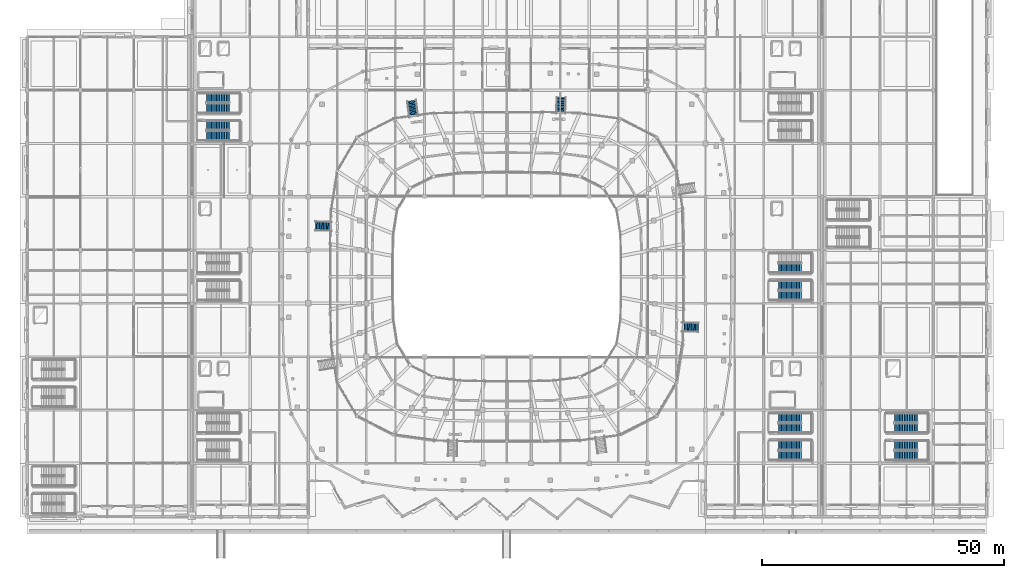
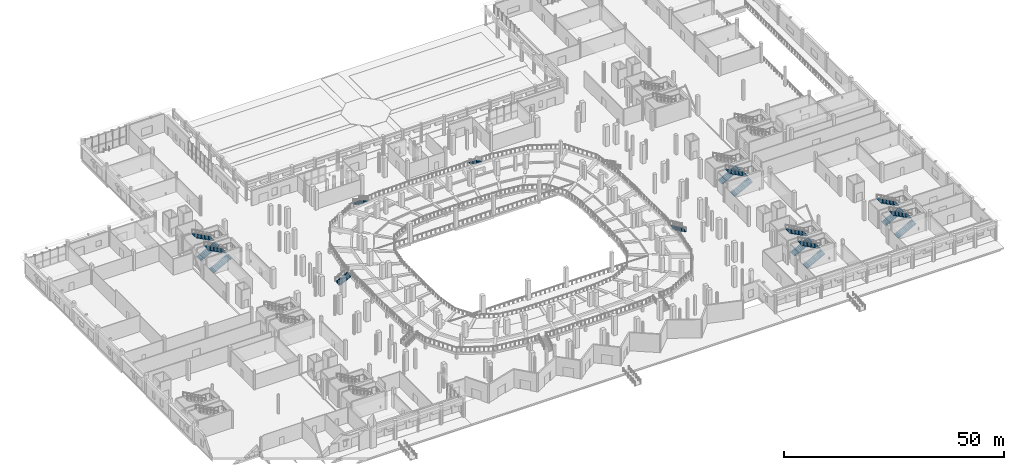
# One storey, part 72 of 120: 19 stair flights, 12 elements without a shape of their own.
"""IFC4 building model written with IfcOpenShell, lengths in metres."""

from ifc_helpers import new_model, si_unit, direction, frame, origin, place, context, subcontext, project, spatial, polyline, outline, extrude, material, layer, layer_set, type_object, element, aggregate, save


model = new_model("IFC4")

# Units and contexts
model_context = context("Model", 3, precision=1e-05, world=origin(), true_north=direction((0.0, 1.0)))
body_context = subcontext(model_context, "Body", "Model", "MODEL_VIEW")
ifc_project = project(units=[si_unit("LENGTHUNIT", "METRE"), si_unit("AREAUNIT", "SQUARE_METRE"), si_unit("VOLUMEUNIT", "CUBIC_METRE"), si_unit("PLANEANGLEUNIT", "RADIAN"), si_unit("MASSUNIT", "GRAM", prefix="KILO")], contexts=[model_context])

# Site, building, storey
site_placement = place(None, origin())
site = spatial("IfcSite", under=ifc_project, at=site_placement, CompositionType="ELEMENT")
building_placement = place(site_placement, origin())
building = spatial("IfcBuilding", under=site, at=building_placement, Name="Luwafu Chhajja Arena", CompositionType="ELEMENT")
storey_placement = place(building_placement, origin())
storey = spatial("IfcBuildingStorey", under=building, at=storey_placement, Name="L00", CompositionType="ELEMENT", Elevation=0.0)

# Stair, stair flight
ifc_material_1 = material(Name="Precast concrete C40/50", Category="concrete")
stair_type_1 = type_object("IfcStairType", Name="Bowl Lower Vomitory Straight Stair 1820", PredefinedType="STRAIGHT_RUN_STAIR", material=ifc_material_1)
stair_1_placement = place(storey_placement, origin())
stair_1 = element("IfcStair", 1, at=stair_1_placement, inside=storey, type_object=stair_type_1, Name="L00 Bowl Vomitory Stair VM-02", PredefinedType="STRAIGHT_RUN_STAIR")
ifc_layer_1 = layer(ifc_material_1, 0.179931640625, Name="Precast concrete C40/50")
ifc_layer_set_1 = layer_set([ifc_layer_1], Name="Precast concrete C40/50")
stair_flight_type_1 = type_object("IfcStairFlightType", Name="Precast Vomitory Stair Flight 1820", PredefinedType="STRAIGHT", material=ifc_layer_set_1)
stair_flight_1_placement = place(storey_placement, frame((110.220703125, 86.541015625, 0.0), z_axis=(0.0, 0.0, 1.0), x_axis=(-0.024128580395, -0.999708863424, 0.0)))
stair_flight_1 = element("IfcStairFlight", 2, at=stair_flight_1_placement, type_object=stair_flight_type_1, Name="L00 Vomitory VM-02 StairFlight", NumberOfRisers=12, NumberOfTreads=11, PredefinedType="STRAIGHT", RiserHeight=0.154166667, TreadLength=0.285, context=body_context, shape_type="SweptSolid", body=[
    extrude(outline(polyline([(0.0, 0.0), (0.0, 0.154052734375), (0.284912109375, 0.154052734375), (0.284912109375, 0.308349609375), (0.570068359375, 0.308349609375), (0.570068359375, 0.46240234375), (0.85498046875, 0.46240234375), (0.85498046875, 0.61669921875), (1.139892578125, 0.61669921875), (1.139892578125, 0.770751953125), (1.425048828125, 0.770751953125), (1.425048828125, 0.925048828125), (1.7099609375, 0.925048828125), (1.7099609375, 1.0791015625), (1.9951171875, 1.0791015625), (1.9951171875, 1.2333984375), (2.280029296875, 1.2333984375), (2.280029296875, 1.387451171875), (2.56494140625, 1.387451171875), (2.56494140625, 1.541748046875), (2.85009765625, 1.541748046875), (2.85009765625, 1.69580078125), (3.135009765625, 1.69580078125), (3.135009765625, 1.85009765625), (3.135009765625, 1.4912109375), (0.378173828125, 0.0), (0.0, 0.0)])), frame((0.0, 0.91015625, 0.0), z_axis=(0.0, -1.0, 0.0), x_axis=(1.0, 0.0, 0.0)), (0.0, 0.0, 1.0), 1.820068359375),
])
aggregate(stair_1, [stair_flight_1])

stair_2_placement = place(storey_placement, origin())
stair_2 = element("IfcStair", 3, at=stair_2_placement, inside=storey, type_object=stair_type_1, Name="L00 Bowl Vomitory Stair VM-03", PredefinedType="STRAIGHT_RUN_STAIR")
stair_flight_2_placement = place(storey_placement, frame((79.346435546875, 85.84814453125, 0.0), z_axis=(0.0, 0.0, 1.0), x_axis=(0.134837095163, -0.990867780164, 0.0)))
stair_flight_2 = element("IfcStairFlight", 4, at=stair_flight_2_placement, type_object=stair_flight_type_1, Name="L00 Vomitory VM-03 StairFlight", NumberOfRisers=12, NumberOfTreads=11, PredefinedType="STRAIGHT", RiserHeight=0.154166667, TreadLength=0.285, context=body_context, shape_type="SweptSolid", body=[
    extrude(outline(polyline([(0.0, 0.0), (0.0, 0.154052734375), (0.284912109375, 0.154052734375), (0.284912109375, 0.308349609375), (0.570068359375, 0.308349609375), (0.570068359375, 0.46240234375), (0.85498046875, 0.46240234375), (0.85498046875, 0.61669921875), (1.139892578125, 0.61669921875), (1.139892578125, 0.770751953125), (1.425048828125, 0.770751953125), (1.425048828125, 0.925048828125), (1.7099609375, 0.925048828125), (1.7099609375, 1.0791015625), (1.9951171875, 1.0791015625), (1.9951171875, 1.2333984375), (2.280029296875, 1.2333984375), (2.280029296875, 1.387451171875), (2.56494140625, 1.387451171875), (2.56494140625, 1.541748046875), (2.85009765625, 1.541748046875), (2.85009765625, 1.69580078125), (3.135009765625, 1.69580078125), (3.135009765625, 1.85009765625), (3.135009765625, 1.4912109375), (0.378173828125, 0.0), (0.0, 0.0)])), frame((0.0, 0.91015625, 0.0), z_axis=(0.0, -1.0, 0.0), x_axis=(1.0, 0.0, 0.0)), (0.0, 0.0, 1.0), 1.820068359375),
])
aggregate(stair_2, [stair_flight_2])

stair_3_placement = place(storey_placement, origin())
stair_3 = element("IfcStair", 5, at=stair_3_placement, inside=storey, type_object=stair_type_1, Name="L00 Bowl Vomitory Stair VM-04", PredefinedType="STRAIGHT_RUN_STAIR")
stair_flight_3_placement = place(storey_placement, frame((59.466796875, 59.968994140625, 0.0), z_axis=(0.0, 0.0, 1.0), x_axis=(0.999612984955, -0.027818704298, 0.0)))
stair_flight_3 = element("IfcStairFlight", 6, at=stair_flight_3_placement, type_object=stair_flight_type_1, Name="L00 Vomitory VM-04 StairFlight", NumberOfRisers=12, NumberOfTreads=11, PredefinedType="STRAIGHT", RiserHeight=0.154166667, TreadLength=0.285, context=body_context, shape_type="SweptSolid", body=[
    extrude(outline(polyline([(0.0, 0.0), (0.0, 0.154052734375), (0.284912109375, 0.154052734375), (0.284912109375, 0.308349609375), (0.570068359375, 0.308349609375), (0.570068359375, 0.46240234375), (0.85498046875, 0.46240234375), (0.85498046875, 0.61669921875), (1.139892578125, 0.61669921875), (1.139892578125, 0.770751953125), (1.425048828125, 0.770751953125), (1.425048828125, 0.925048828125), (1.7099609375, 0.925048828125), (1.7099609375, 1.0791015625), (1.9951171875, 1.0791015625), (1.9951171875, 1.2333984375), (2.280029296875, 1.2333984375), (2.280029296875, 1.387451171875), (2.56494140625, 1.387451171875), (2.56494140625, 1.541748046875), (2.85009765625, 1.541748046875), (2.85009765625, 1.69580078125), (3.135009765625, 1.69580078125), (3.135009765625, 1.85009765625), (3.135009765625, 1.4912109375), (0.378173828125, 0.0), (0.0, 0.0)])), frame((0.0, 0.91015625, 0.0), z_axis=(0.0, -1.0, 0.0), x_axis=(1.0, 0.0, 0.0)), (0.0, 0.0, 1.0), 1.820068359375),
])
aggregate(stair_3, [stair_flight_3])

stair_4_placement = place(storey_placement, origin())
stair_4 = element("IfcStair", 7, at=stair_4_placement, inside=storey, type_object=stair_type_1, Name="L00 Bowl Vomitory Stair VM-08", PredefinedType="STRAIGHT_RUN_STAIR")
stair_flight_4_placement = place(storey_placement, frame((138.533203125, 39.031005859375, 0.0), z_axis=(0.0, 0.0, 1.0), x_axis=(-0.999612984955, 0.027818704298, 0.0)))
stair_flight_4 = element("IfcStairFlight", 8, at=stair_flight_4_placement, type_object=stair_flight_type_1, Name="L00 Vomitory VM-08 StairFlight", NumberOfRisers=12, NumberOfTreads=11, PredefinedType="STRAIGHT", RiserHeight=0.154166667, TreadLength=0.285, context=body_context, shape_type="SweptSolid", body=[
    extrude(outline(polyline([(0.0, 0.0), (0.0, 0.154052734375), (0.284912109375, 0.154052734375), (0.284912109375, 0.308349609375), (0.570068359375, 0.308349609375), (0.570068359375, 0.46240234375), (0.85498046875, 0.46240234375), (0.85498046875, 0.61669921875), (1.139892578125, 0.61669921875), (1.139892578125, 0.770751953125), (1.425048828125, 0.770751953125), (1.425048828125, 0.925048828125), (1.7099609375, 0.925048828125), (1.7099609375, 1.0791015625), (1.9951171875, 1.0791015625), (1.9951171875, 1.2333984375), (2.280029296875, 1.2333984375), (2.280029296875, 1.387451171875), (2.56494140625, 1.387451171875), (2.56494140625, 1.541748046875), (2.85009765625, 1.541748046875), (2.85009765625, 1.69580078125), (3.135009765625, 1.69580078125), (3.135009765625, 1.85009765625), (3.135009765625, 1.4912109375), (0.378173828125, 0.0), (0.0, 0.0)])), frame((0.0, 0.91015625, 0.0), z_axis=(0.0, -1.0, 0.0), x_axis=(1.0, 0.0, 0.0)), (0.0, 0.0, 1.0), 1.820068359375),
])
aggregate(stair_4, [stair_flight_4])

# Stair, stair flights
ifc_material_2 = material(Name="Concrete C35/45", Category="concrete")
stair_type_2 = type_object("IfcStairType", Name="Wing Protected Dog-Leg Stair 1900", PredefinedType="HALF_TURN_STAIR", material=ifc_material_2)
stair_5_placement = place(storey_placement, origin())
stair_5 = element("IfcStair", 9, at=stair_5_placement, inside=storey, type_object=stair_type_2, Name="L00 Protected Escape Stair ST-15", PredefinedType="HALF_TURN_STAIR")
ifc_layer_2 = layer(ifc_material_2, 0.1650390625, Name="Concrete C35/45")
ifc_layer_set_2 = layer_set([ifc_layer_2], Name="Concrete C35/45")
stair_flight_type_2 = type_object("IfcStairFlightType", Name="RC Escape Stair Flight 1900", PredefinedType="STRAIGHT", material=ifc_layer_set_2)
stair_flight_5_placement = place(storey_placement, frame((179.0, 12.60009765625, 0.0), z_axis=(0.0, 0.0, 1.0), x_axis=(1.0, 0.0, 0.0)))
stair_flight_5 = element("IfcStairFlight", 10, at=stair_flight_5_placement, type_object=stair_flight_type_2, Name="ST-15 flight 1", NumberOfRisers=15, NumberOfTreads=14, PredefinedType="STRAIGHT", RiserHeight=0.18, TreadLength=0.34, context=body_context, shape_type="SweptSolid", body=[
    extrude(outline(polyline([(0.0, 0.0), (0.0, 0.179931640625), (0.340087890625, 0.179931640625), (0.340087890625, 0.360107421875), (0.679931640625, 0.360107421875), (0.679931640625, 0.5400390625), (1.02001953125, 0.5400390625), (1.02001953125, 0.719970703125), (1.360107421875, 0.719970703125), (1.360107421875, 0.89990234375), (1.699951171875, 0.89990234375), (1.699951171875, 1.080078125), (2.0400390625, 1.080078125), (2.0400390625, 1.260009765625), (2.3798828125, 1.260009765625), (2.3798828125, 1.43994140625), (2.719970703125, 1.43994140625), (2.719970703125, 1.6201171875), (3.06005859375, 1.6201171875), (3.06005859375, 1.800048828125), (3.39990234375, 1.800048828125), (3.39990234375, 1.97998046875), (3.739990234375, 1.97998046875), (3.739990234375, 2.159912109375), (4.080078125, 2.159912109375), (4.080078125, 2.340087890625), (4.419921875, 2.340087890625), (4.419921875, 2.52001953125), (4.760009765625, 2.52001953125), (4.760009765625, 2.699951171875), (4.760009765625, 2.32763671875), (0.36328125, 0.0), (0.0, 0.0)])), frame((0.0, 0.949951171875, 0.0), z_axis=(0.0, -1.0, 0.0), x_axis=(1.0, 0.0, 0.0)), (0.0, 0.0, 1.0), 1.89990234375),
])
stair_flight_6_placement = place(storey_placement, frame((183.760009765625, 14.699951171875, 2.699951171875), z_axis=(0.0, 0.0, 1.0), x_axis=(-1.0, 0.0, 0.0)))
stair_flight_6 = element("IfcStairFlight", 11, at=stair_flight_6_placement, type_object=stair_flight_type_2, Name="ST-15 flight 2", NumberOfRisers=15, NumberOfTreads=14, PredefinedType="STRAIGHT", RiserHeight=0.18, TreadLength=0.34, context=body_context, shape_type="SweptSolid", body=[
    extrude(outline(polyline([(0.0, 0.0), (0.0, 0.179931640625), (0.340087890625, 0.179931640625), (0.340087890625, 0.360107421875), (0.679931640625, 0.360107421875), (0.679931640625, 0.5400390625), (1.02001953125, 0.5400390625), (1.02001953125, 0.719970703125), (1.360107421875, 0.719970703125), (1.360107421875, 0.89990234375), (1.699951171875, 0.89990234375), (1.699951171875, 1.080078125), (2.0400390625, 1.080078125), (2.0400390625, 1.260009765625), (2.3798828125, 1.260009765625), (2.3798828125, 1.43994140625), (2.719970703125, 1.43994140625), (2.719970703125, 1.6201171875), (3.06005859375, 1.6201171875), (3.06005859375, 1.800048828125), (3.39990234375, 1.800048828125), (3.39990234375, 1.97998046875), (3.739990234375, 1.97998046875), (3.739990234375, 2.159912109375), (4.080078125, 2.159912109375), (4.080078125, 2.340087890625), (4.419921875, 2.340087890625), (4.419921875, 2.52001953125), (4.760009765625, 2.52001953125), (4.760009765625, 2.699951171875), (4.760009765625, 2.32763671875), (0.36328125, 0.0), (0.0, 0.0)])), frame((0.0, 0.949951171875, 0.0), z_axis=(0.0, -1.0, 0.0), x_axis=(1.0, 0.0, 0.0)), (0.0, 0.0, 1.0), 1.89990234375),
])
aggregate(stair_5, [stair_flight_5, stair_flight_6])

stair_6_placement = place(storey_placement, origin())
stair_6 = element("IfcStair", 12, at=stair_6_placement, inside=storey, type_object=stair_type_2, Name="L00 Protected Escape Stair ST-16", PredefinedType="HALF_TURN_STAIR")
stair_flight_7_placement = place(storey_placement, frame((179.0, 18.300048828125, 0.0), z_axis=(0.0, 0.0, 1.0), x_axis=(1.0, 0.0, 0.0)))
stair_flight_7 = element("IfcStairFlight", 13, at=stair_flight_7_placement, type_object=stair_flight_type_2, Name="ST-16 flight 1", NumberOfRisers=15, NumberOfTreads=14, PredefinedType="STRAIGHT", RiserHeight=0.18, TreadLength=0.34, context=body_context, shape_type="SweptSolid", body=[
    extrude(outline(polyline([(0.0, 0.0), (0.0, 0.179931640625), (0.340087890625, 0.179931640625), (0.340087890625, 0.360107421875), (0.679931640625, 0.360107421875), (0.679931640625, 0.5400390625), (1.02001953125, 0.5400390625), (1.02001953125, 0.719970703125), (1.360107421875, 0.719970703125), (1.360107421875, 0.89990234375), (1.699951171875, 0.89990234375), (1.699951171875, 1.080078125), (2.0400390625, 1.080078125), (2.0400390625, 1.260009765625), (2.3798828125, 1.260009765625), (2.3798828125, 1.43994140625), (2.719970703125, 1.43994140625), (2.719970703125, 1.6201171875), (3.06005859375, 1.6201171875), (3.06005859375, 1.800048828125), (3.39990234375, 1.800048828125), (3.39990234375, 1.97998046875), (3.739990234375, 1.97998046875), (3.739990234375, 2.159912109375), (4.080078125, 2.159912109375), (4.080078125, 2.340087890625), (4.419921875, 2.340087890625), (4.419921875, 2.52001953125), (4.760009765625, 2.52001953125), (4.760009765625, 2.699951171875), (4.760009765625, 2.32763671875), (0.36328125, 0.0), (0.0, 0.0)])), frame((0.0, 0.949951171875, 0.0), z_axis=(0.0, -1.0, 0.0), x_axis=(1.0, 0.0, 0.0)), (0.0, 0.0, 1.0), 1.89990234375),
])
stair_flight_8_placement = place(storey_placement, frame((183.760009765625, 20.39990234375, 2.699951171875), z_axis=(0.0, 0.0, 1.0), x_axis=(-1.0, 0.0, 0.0)))
stair_flight_8 = element("IfcStairFlight", 14, at=stair_flight_8_placement, type_object=stair_flight_type_2, Name="ST-16 flight 2", NumberOfRisers=15, NumberOfTreads=14, PredefinedType="STRAIGHT", RiserHeight=0.18, TreadLength=0.34, context=body_context, shape_type="SweptSolid", body=[
    extrude(outline(polyline([(0.0, 0.0), (0.0, 0.179931640625), (0.340087890625, 0.179931640625), (0.340087890625, 0.360107421875), (0.679931640625, 0.360107421875), (0.679931640625, 0.5400390625), (1.02001953125, 0.5400390625), (1.02001953125, 0.719970703125), (1.360107421875, 0.719970703125), (1.360107421875, 0.89990234375), (1.699951171875, 0.89990234375), (1.699951171875, 1.080078125), (2.0400390625, 1.080078125), (2.0400390625, 1.260009765625), (2.3798828125, 1.260009765625), (2.3798828125, 1.43994140625), (2.719970703125, 1.43994140625), (2.719970703125, 1.6201171875), (3.06005859375, 1.6201171875), (3.06005859375, 1.800048828125), (3.39990234375, 1.800048828125), (3.39990234375, 1.97998046875), (3.739990234375, 1.97998046875), (3.739990234375, 2.159912109375), (4.080078125, 2.159912109375), (4.080078125, 2.340087890625), (4.419921875, 2.340087890625), (4.419921875, 2.52001953125), (4.760009765625, 2.52001953125), (4.760009765625, 2.699951171875), (4.760009765625, 2.32763671875), (0.36328125, 0.0), (0.0, 0.0)])), frame((0.0, 0.949951171875, 0.0), z_axis=(0.0, -1.0, 0.0), x_axis=(1.0, 0.0, 0.0)), (0.0, 0.0, 1.0), 1.89990234375),
])
aggregate(stair_6, [stair_flight_7, stair_flight_8])

stair_type_3 = type_object("IfcStairType", Name="Quadrant Protected Dog-Leg Stair 1920", PredefinedType="HALF_TURN_STAIR", material=ifc_material_2)
stair_7_placement = place(storey_placement, origin())
stair_7 = element("IfcStair", 15, at=stair_7_placement, inside=storey, type_object=stair_type_3, Name="L00 Protected Escape Stair ST-03", PredefinedType="HALF_TURN_STAIR")
ifc_layer_3 = layer(ifc_material_2, 0.169921875, Name="Concrete C35/45")
ifc_layer_set_3 = layer_set([ifc_layer_3], Name="Concrete C35/45")
stair_flight_type_3 = type_object("IfcStairFlightType", Name="RC Escape Stair Flight 1920", PredefinedType="STRAIGHT", material=ifc_layer_set_3)
stair_flight_9_placement = place(storey_placement, frame((155.02001953125, 12.610107421875, 0.0), z_axis=(0.0, 0.0, 1.0), x_axis=(1.0, 0.0, 0.0)))
stair_flight_9 = element("IfcStairFlight", 16, at=stair_flight_9_placement, type_object=stair_flight_type_3, Name="ST-03 flight 1", NumberOfRisers=15, NumberOfTreads=14, PredefinedType="STRAIGHT", RiserHeight=0.18, TreadLength=0.34, context=body_context, shape_type="SweptSolid", body=[
    extrude(outline(polyline([(0.0, 0.0), (0.0, 0.179931640625), (0.340087890625, 0.179931640625), (0.340087890625, 0.360107421875), (0.679931640625, 0.360107421875), (0.679931640625, 0.5400390625), (1.02001953125, 0.5400390625), (1.02001953125, 0.719970703125), (1.360107421875, 0.719970703125), (1.360107421875, 0.89990234375), (1.699951171875, 0.89990234375), (1.699951171875, 1.080078125), (2.0400390625, 1.080078125), (2.0400390625, 1.260009765625), (2.3798828125, 1.260009765625), (2.3798828125, 1.43994140625), (2.719970703125, 1.43994140625), (2.719970703125, 1.6201171875), (3.06005859375, 1.6201171875), (3.06005859375, 1.800048828125), (3.39990234375, 1.800048828125), (3.39990234375, 1.97998046875), (3.739990234375, 1.97998046875), (3.739990234375, 2.159912109375), (4.080078125, 2.159912109375), (4.080078125, 2.340087890625), (4.419921875, 2.340087890625), (4.419921875, 2.52001953125), (4.760009765625, 2.52001953125), (4.760009765625, 2.699951171875), (4.760009765625, 2.32763671875), (0.36328125, 0.0), (0.0, 0.0)])), frame((0.0, 0.9599609375, 0.0), z_axis=(0.0, -1.0, 0.0), x_axis=(1.0, 0.0, 0.0)), (0.0, 0.0, 1.0), 1.919921875),
])
stair_flight_10_placement = place(storey_placement, frame((159.780029296875, 14.72998046875, 2.699951171875), z_axis=(0.0, 0.0, 1.0), x_axis=(-1.0, 0.0, 0.0)))
stair_flight_10 = element("IfcStairFlight", 17, at=stair_flight_10_placement, type_object=stair_flight_type_3, Name="ST-03 flight 2", NumberOfRisers=15, NumberOfTreads=14, PredefinedType="STRAIGHT", RiserHeight=0.18, TreadLength=0.34, context=body_context, shape_type="SweptSolid", body=[
    extrude(outline(polyline([(0.0, 0.0), (0.0, 0.179931640625), (0.340087890625, 0.179931640625), (0.340087890625, 0.360107421875), (0.679931640625, 0.360107421875), (0.679931640625, 0.5400390625), (1.02001953125, 0.5400390625), (1.02001953125, 0.719970703125), (1.360107421875, 0.719970703125), (1.360107421875, 0.89990234375), (1.699951171875, 0.89990234375), (1.699951171875, 1.080078125), (2.0400390625, 1.080078125), (2.0400390625, 1.260009765625), (2.3798828125, 1.260009765625), (2.3798828125, 1.43994140625), (2.719970703125, 1.43994140625), (2.719970703125, 1.6201171875), (3.06005859375, 1.6201171875), (3.06005859375, 1.800048828125), (3.39990234375, 1.800048828125), (3.39990234375, 1.97998046875), (3.739990234375, 1.97998046875), (3.739990234375, 2.159912109375), (4.080078125, 2.159912109375), (4.080078125, 2.340087890625), (4.419921875, 2.340087890625), (4.419921875, 2.52001953125), (4.760009765625, 2.52001953125), (4.760009765625, 2.699951171875), (4.760009765625, 2.32763671875), (0.36328125, 0.0), (0.0, 0.0)])), frame((0.0, 0.9599609375, 0.0), z_axis=(0.0, -1.0, 0.0), x_axis=(1.0, 0.0, 0.0)), (0.0, 0.0, 1.0), 1.919921875),
])
aggregate(stair_7, [stair_flight_9, stair_flight_10])

stair_8_placement = place(storey_placement, origin())
stair_8 = element("IfcStair", 18, at=stair_8_placement, inside=storey, type_object=stair_type_3, Name="L00 Protected Escape Stair ST-04", PredefinedType="HALF_TURN_STAIR")
stair_flight_11_placement = place(storey_placement, frame((155.02001953125, 18.27001953125, 0.0), z_axis=(0.0, 0.0, 1.0), x_axis=(1.0, 0.0, 0.0)))
stair_flight_11 = element("IfcStairFlight", 19, at=stair_flight_11_placement, type_object=stair_flight_type_3, Name="ST-04 flight 1", NumberOfRisers=15, NumberOfTreads=14, PredefinedType="STRAIGHT", RiserHeight=0.18, TreadLength=0.34, context=body_context, shape_type="SweptSolid", body=[
    extrude(outline(polyline([(0.0, 0.0), (0.0, 0.179931640625), (0.340087890625, 0.179931640625), (0.340087890625, 0.360107421875), (0.679931640625, 0.360107421875), (0.679931640625, 0.5400390625), (1.02001953125, 0.5400390625), (1.02001953125, 0.719970703125), (1.360107421875, 0.719970703125), (1.360107421875, 0.89990234375), (1.699951171875, 0.89990234375), (1.699951171875, 1.080078125), (2.0400390625, 1.080078125), (2.0400390625, 1.260009765625), (2.3798828125, 1.260009765625), (2.3798828125, 1.43994140625), (2.719970703125, 1.43994140625), (2.719970703125, 1.6201171875), (3.06005859375, 1.6201171875), (3.06005859375, 1.800048828125), (3.39990234375, 1.800048828125), (3.39990234375, 1.97998046875), (3.739990234375, 1.97998046875), (3.739990234375, 2.159912109375), (4.080078125, 2.159912109375), (4.080078125, 2.340087890625), (4.419921875, 2.340087890625), (4.419921875, 2.52001953125), (4.760009765625, 2.52001953125), (4.760009765625, 2.699951171875), (4.760009765625, 2.32763671875), (0.36328125, 0.0), (0.0, 0.0)])), frame((0.0, 0.9599609375, 0.0), z_axis=(0.0, -1.0, 0.0), x_axis=(1.0, 0.0, 0.0)), (0.0, 0.0, 1.0), 1.919921875),
])
stair_flight_12_placement = place(storey_placement, frame((159.780029296875, 20.389892578125, 2.699951171875), z_axis=(0.0, 0.0, 1.0), x_axis=(-1.0, 0.0, 0.0)))
stair_flight_12 = element("IfcStairFlight", 20, at=stair_flight_12_placement, type_object=stair_flight_type_3, Name="ST-04 flight 2", NumberOfRisers=15, NumberOfTreads=14, PredefinedType="STRAIGHT", RiserHeight=0.18, TreadLength=0.34, context=body_context, shape_type="SweptSolid", body=[
    extrude(outline(polyline([(0.0, 0.0), (0.0, 0.179931640625), (0.340087890625, 0.179931640625), (0.340087890625, 0.360107421875), (0.679931640625, 0.360107421875), (0.679931640625, 0.5400390625), (1.02001953125, 0.5400390625), (1.02001953125, 0.719970703125), (1.360107421875, 0.719970703125), (1.360107421875, 0.89990234375), (1.699951171875, 0.89990234375), (1.699951171875, 1.080078125), (2.0400390625, 1.080078125), (2.0400390625, 1.260009765625), (2.3798828125, 1.260009765625), (2.3798828125, 1.43994140625), (2.719970703125, 1.43994140625), (2.719970703125, 1.6201171875), (3.06005859375, 1.6201171875), (3.06005859375, 1.800048828125), (3.39990234375, 1.800048828125), (3.39990234375, 1.97998046875), (3.739990234375, 1.97998046875), (3.739990234375, 2.159912109375), (4.080078125, 2.159912109375), (4.080078125, 2.340087890625), (4.419921875, 2.340087890625), (4.419921875, 2.52001953125), (4.760009765625, 2.52001953125), (4.760009765625, 2.699951171875), (4.760009765625, 2.32763671875), (0.36328125, 0.0), (0.0, 0.0)])), frame((0.0, 0.9599609375, 0.0), z_axis=(0.0, -1.0, 0.0), x_axis=(1.0, 0.0, 0.0)), (0.0, 0.0, 1.0), 1.919921875),
])
aggregate(stair_8, [stair_flight_11, stair_flight_12])

stair_9_placement = place(storey_placement, origin())
stair_9 = element("IfcStair", 21, at=stair_9_placement, inside=storey, type_object=stair_type_3, Name="L00 Protected Escape Stair ST-05", PredefinedType="HALF_TURN_STAIR")
stair_flight_13_placement = place(storey_placement, frame((37.02001953125, 78.610107421875, 0.0), z_axis=(0.0, 0.0, 1.0), x_axis=(1.0, 0.0, 0.0)))
stair_flight_13 = element("IfcStairFlight", 22, at=stair_flight_13_placement, type_object=stair_flight_type_3, Name="ST-05 flight 1", NumberOfRisers=15, NumberOfTreads=14, PredefinedType="STRAIGHT", RiserHeight=0.18, TreadLength=0.34, context=body_context, shape_type="SweptSolid", body=[
    extrude(outline(polyline([(0.0, 0.0), (0.0, 0.179931640625), (0.340087890625, 0.179931640625), (0.340087890625, 0.360107421875), (0.679931640625, 0.360107421875), (0.679931640625, 0.5400390625), (1.02001953125, 0.5400390625), (1.02001953125, 0.719970703125), (1.360107421875, 0.719970703125), (1.360107421875, 0.89990234375), (1.699951171875, 0.89990234375), (1.699951171875, 1.080078125), (2.0400390625, 1.080078125), (2.0400390625, 1.260009765625), (2.3798828125, 1.260009765625), (2.3798828125, 1.43994140625), (2.719970703125, 1.43994140625), (2.719970703125, 1.6201171875), (3.06005859375, 1.6201171875), (3.06005859375, 1.800048828125), (3.39990234375, 1.800048828125), (3.39990234375, 1.97998046875), (3.739990234375, 1.97998046875), (3.739990234375, 2.159912109375), (4.080078125, 2.159912109375), (4.080078125, 2.340087890625), (4.419921875, 2.340087890625), (4.419921875, 2.52001953125), (4.760009765625, 2.52001953125), (4.760009765625, 2.699951171875), (4.760009765625, 2.32763671875), (0.36328125, 0.0), (0.0, 0.0)])), frame((0.0, 0.9599609375, 0.0), z_axis=(0.0, -1.0, 0.0), x_axis=(1.0, 0.0, 0.0)), (0.0, 0.0, 1.0), 1.919921875),
])
stair_flight_14_placement = place(storey_placement, frame((41.780029296875, 80.72998046875, 2.699951171875), z_axis=(0.0, 0.0, 1.0), x_axis=(-1.0, 0.0, 0.0)))
stair_flight_14 = element("IfcStairFlight", 23, at=stair_flight_14_placement, type_object=stair_flight_type_3, Name="ST-05 flight 2", NumberOfRisers=15, NumberOfTreads=14, PredefinedType="STRAIGHT", RiserHeight=0.18, TreadLength=0.34, context=body_context, shape_type="SweptSolid", body=[
    extrude(outline(polyline([(0.0, 0.0), (0.0, 0.179931640625), (0.340087890625, 0.179931640625), (0.340087890625, 0.360107421875), (0.679931640625, 0.360107421875), (0.679931640625, 0.5400390625), (1.02001953125, 0.5400390625), (1.02001953125, 0.719970703125), (1.360107421875, 0.719970703125), (1.360107421875, 0.89990234375), (1.699951171875, 0.89990234375), (1.699951171875, 1.080078125), (2.0400390625, 1.080078125), (2.0400390625, 1.260009765625), (2.3798828125, 1.260009765625), (2.3798828125, 1.43994140625), (2.719970703125, 1.43994140625), (2.719970703125, 1.6201171875), (3.06005859375, 1.6201171875), (3.06005859375, 1.800048828125), (3.39990234375, 1.800048828125), (3.39990234375, 1.97998046875), (3.739990234375, 1.97998046875), (3.739990234375, 2.159912109375), (4.080078125, 2.159912109375), (4.080078125, 2.340087890625), (4.419921875, 2.340087890625), (4.419921875, 2.52001953125), (4.760009765625, 2.52001953125), (4.760009765625, 2.699951171875), (4.760009765625, 2.32763671875), (0.36328125, 0.0), (0.0, 0.0)])), frame((0.0, 0.9599609375, 0.0), z_axis=(0.0, -1.0, 0.0), x_axis=(1.0, 0.0, 0.0)), (0.0, 0.0, 1.0), 1.919921875),
])
aggregate(stair_9, [stair_flight_13, stair_flight_14])

stair_10_placement = place(storey_placement, origin())
stair_10 = element("IfcStair", 24, at=stair_10_placement, inside=storey, type_object=stair_type_3, Name="L00 Protected Escape Stair ST-06", PredefinedType="HALF_TURN_STAIR")
stair_flight_15_placement = place(storey_placement, frame((37.02001953125, 84.27001953125, 0.0), z_axis=(0.0, 0.0, 1.0), x_axis=(1.0, 0.0, 0.0)))
stair_flight_15 = element("IfcStairFlight", 25, at=stair_flight_15_placement, type_object=stair_flight_type_3, Name="ST-06 flight 1", NumberOfRisers=15, NumberOfTreads=14, PredefinedType="STRAIGHT", RiserHeight=0.18, TreadLength=0.34, context=body_context, shape_type="SweptSolid", body=[
    extrude(outline(polyline([(0.0, 0.0), (0.0, 0.179931640625), (0.340087890625, 0.179931640625), (0.340087890625, 0.360107421875), (0.679931640625, 0.360107421875), (0.679931640625, 0.5400390625), (1.02001953125, 0.5400390625), (1.02001953125, 0.719970703125), (1.360107421875, 0.719970703125), (1.360107421875, 0.89990234375), (1.699951171875, 0.89990234375), (1.699951171875, 1.080078125), (2.0400390625, 1.080078125), (2.0400390625, 1.260009765625), (2.3798828125, 1.260009765625), (2.3798828125, 1.43994140625), (2.719970703125, 1.43994140625), (2.719970703125, 1.6201171875), (3.06005859375, 1.6201171875), (3.06005859375, 1.800048828125), (3.39990234375, 1.800048828125), (3.39990234375, 1.97998046875), (3.739990234375, 1.97998046875), (3.739990234375, 2.159912109375), (4.080078125, 2.159912109375), (4.080078125, 2.340087890625), (4.419921875, 2.340087890625), (4.419921875, 2.52001953125), (4.760009765625, 2.52001953125), (4.760009765625, 2.699951171875), (4.760009765625, 2.32763671875), (0.36328125, 0.0), (0.0, 0.0)])), frame((0.0, 0.9599609375, 0.0), z_axis=(0.0, -1.0, 0.0), x_axis=(1.0, 0.0, 0.0)), (0.0, 0.0, 1.0), 1.919921875),
])
stair_flight_16_placement = place(storey_placement, frame((41.780029296875, 86.389892578125, 2.699951171875), z_axis=(0.0, 0.0, 1.0), x_axis=(-1.0, 0.0, 0.0)))
stair_flight_16 = element("IfcStairFlight", 26, at=stair_flight_16_placement, type_object=stair_flight_type_3, Name="ST-06 flight 2", NumberOfRisers=15, NumberOfTreads=14, PredefinedType="STRAIGHT", RiserHeight=0.18, TreadLength=0.34, context=body_context, shape_type="SweptSolid", body=[
    extrude(outline(polyline([(0.0, 0.0), (0.0, 0.179931640625), (0.340087890625, 0.179931640625), (0.340087890625, 0.360107421875), (0.679931640625, 0.360107421875), (0.679931640625, 0.5400390625), (1.02001953125, 0.5400390625), (1.02001953125, 0.719970703125), (1.360107421875, 0.719970703125), (1.360107421875, 0.89990234375), (1.699951171875, 0.89990234375), (1.699951171875, 1.080078125), (2.0400390625, 1.080078125), (2.0400390625, 1.260009765625), (2.3798828125, 1.260009765625), (2.3798828125, 1.43994140625), (2.719970703125, 1.43994140625), (2.719970703125, 1.6201171875), (3.06005859375, 1.6201171875), (3.06005859375, 1.800048828125), (3.39990234375, 1.800048828125), (3.39990234375, 1.97998046875), (3.739990234375, 1.97998046875), (3.739990234375, 2.159912109375), (4.080078125, 2.159912109375), (4.080078125, 2.340087890625), (4.419921875, 2.340087890625), (4.419921875, 2.52001953125), (4.760009765625, 2.52001953125), (4.760009765625, 2.699951171875), (4.760009765625, 2.32763671875), (0.36328125, 0.0), (0.0, 0.0)])), frame((0.0, 0.9599609375, 0.0), z_axis=(0.0, -1.0, 0.0), x_axis=(1.0, 0.0, 0.0)), (0.0, 0.0, 1.0), 1.919921875),
])
aggregate(stair_10, [stair_flight_15, stair_flight_16])

stair_11_placement = place(storey_placement, origin())
stair_11 = element("IfcStair", 27, at=stair_11_placement, inside=storey, type_object=stair_type_3, Name="L00 Protected Escape Stair ST-11", PredefinedType="HALF_TURN_STAIR")
stair_flight_17_placement = place(storey_placement, frame((155.02001953125, 45.610107421875, 0.0), z_axis=(0.0, 0.0, 1.0), x_axis=(1.0, 0.0, 0.0)))
stair_flight_17 = element("IfcStairFlight", 28, at=stair_flight_17_placement, type_object=stair_flight_type_3, Name="ST-11 flight 1", NumberOfRisers=15, NumberOfTreads=14, PredefinedType="STRAIGHT", RiserHeight=0.18, TreadLength=0.34, context=body_context, shape_type="SweptSolid", body=[
    extrude(outline(polyline([(0.0, 0.0), (0.0, 0.179931640625), (0.340087890625, 0.179931640625), (0.340087890625, 0.360107421875), (0.679931640625, 0.360107421875), (0.679931640625, 0.5400390625), (1.02001953125, 0.5400390625), (1.02001953125, 0.719970703125), (1.360107421875, 0.719970703125), (1.360107421875, 0.89990234375), (1.699951171875, 0.89990234375), (1.699951171875, 1.080078125), (2.0400390625, 1.080078125), (2.0400390625, 1.260009765625), (2.3798828125, 1.260009765625), (2.3798828125, 1.43994140625), (2.719970703125, 1.43994140625), (2.719970703125, 1.6201171875), (3.06005859375, 1.6201171875), (3.06005859375, 1.800048828125), (3.39990234375, 1.800048828125), (3.39990234375, 1.97998046875), (3.739990234375, 1.97998046875), (3.739990234375, 2.159912109375), (4.080078125, 2.159912109375), (4.080078125, 2.340087890625), (4.419921875, 2.340087890625), (4.419921875, 2.52001953125), (4.760009765625, 2.52001953125), (4.760009765625, 2.699951171875), (4.760009765625, 2.32763671875), (0.36328125, 0.0), (0.0, 0.0)])), frame((0.0, 0.9599609375, 0.0), z_axis=(0.0, -1.0, 0.0), x_axis=(1.0, 0.0, 0.0)), (0.0, 0.0, 1.0), 1.919921875),
])
stair_flight_18_placement = place(storey_placement, frame((159.780029296875, 47.72998046875, 2.699951171875), z_axis=(0.0, 0.0, 1.0), x_axis=(-1.0, 0.0, 0.0)))
stair_flight_18 = element("IfcStairFlight", 29, at=stair_flight_18_placement, type_object=stair_flight_type_3, Name="ST-11 flight 2", NumberOfRisers=15, NumberOfTreads=14, PredefinedType="STRAIGHT", RiserHeight=0.18, TreadLength=0.34, context=body_context, shape_type="SweptSolid", body=[
    extrude(outline(polyline([(0.0, 0.0), (0.0, 0.179931640625), (0.340087890625, 0.179931640625), (0.340087890625, 0.360107421875), (0.679931640625, 0.360107421875), (0.679931640625, 0.5400390625), (1.02001953125, 0.5400390625), (1.02001953125, 0.719970703125), (1.360107421875, 0.719970703125), (1.360107421875, 0.89990234375), (1.699951171875, 0.89990234375), (1.699951171875, 1.080078125), (2.0400390625, 1.080078125), (2.0400390625, 1.260009765625), (2.3798828125, 1.260009765625), (2.3798828125, 1.43994140625), (2.719970703125, 1.43994140625), (2.719970703125, 1.6201171875), (3.06005859375, 1.6201171875), (3.06005859375, 1.800048828125), (3.39990234375, 1.800048828125), (3.39990234375, 1.97998046875), (3.739990234375, 1.97998046875), (3.739990234375, 2.159912109375), (4.080078125, 2.159912109375), (4.080078125, 2.340087890625), (4.419921875, 2.340087890625), (4.419921875, 2.52001953125), (4.760009765625, 2.52001953125), (4.760009765625, 2.699951171875), (4.760009765625, 2.32763671875), (0.36328125, 0.0), (0.0, 0.0)])), frame((0.0, 0.9599609375, 0.0), z_axis=(0.0, -1.0, 0.0), x_axis=(1.0, 0.0, 0.0)), (0.0, 0.0, 1.0), 1.919921875),
])
aggregate(stair_11, [stair_flight_17, stair_flight_18])

# Stair, stair flight
stair_12_placement = place(storey_placement, origin())
stair_12 = element("IfcStair", 30, at=stair_12_placement, inside=storey, type_object=stair_type_3, Name="L00 Protected Escape Stair ST-12", PredefinedType="HALF_TURN_STAIR")
stair_flight_19_placement = place(storey_placement, frame((155.02001953125, 51.27001953125, 0.0), z_axis=(0.0, 0.0, 1.0), x_axis=(1.0, 0.0, 0.0)))
stair_flight_19 = element("IfcStairFlight", 31, at=stair_flight_19_placement, type_object=stair_flight_type_3, Name="ST-12 flight 1", NumberOfRisers=15, NumberOfTreads=14, PredefinedType="STRAIGHT", RiserHeight=0.18, TreadLength=0.34, context=body_context, shape_type="SweptSolid", body=[
    extrude(outline(polyline([(0.0, 0.0), (0.0, 0.179931640625), (0.340087890625, 0.179931640625), (0.340087890625, 0.360107421875), (0.679931640625, 0.360107421875), (0.679931640625, 0.5400390625), (1.02001953125, 0.5400390625), (1.02001953125, 0.719970703125), (1.360107421875, 0.719970703125), (1.360107421875, 0.89990234375), (1.699951171875, 0.89990234375), (1.699951171875, 1.080078125), (2.0400390625, 1.080078125), (2.0400390625, 1.260009765625), (2.3798828125, 1.260009765625), (2.3798828125, 1.43994140625), (2.719970703125, 1.43994140625), (2.719970703125, 1.6201171875), (3.06005859375, 1.6201171875), (3.06005859375, 1.800048828125), (3.39990234375, 1.800048828125), (3.39990234375, 1.97998046875), (3.739990234375, 1.97998046875), (3.739990234375, 2.159912109375), (4.080078125, 2.159912109375), (4.080078125, 2.340087890625), (4.419921875, 2.340087890625), (4.419921875, 2.52001953125), (4.760009765625, 2.52001953125), (4.760009765625, 2.699951171875), (4.760009765625, 2.32763671875), (0.36328125, 0.0), (0.0, 0.0)])), frame((0.0, 0.9599609375, 0.0), z_axis=(0.0, -1.0, 0.0), x_axis=(1.0, 0.0, 0.0)), (0.0, 0.0, 1.0), 1.919921875),
])
aggregate(stair_12, [stair_flight_19])

save(model, "model.ifc")
